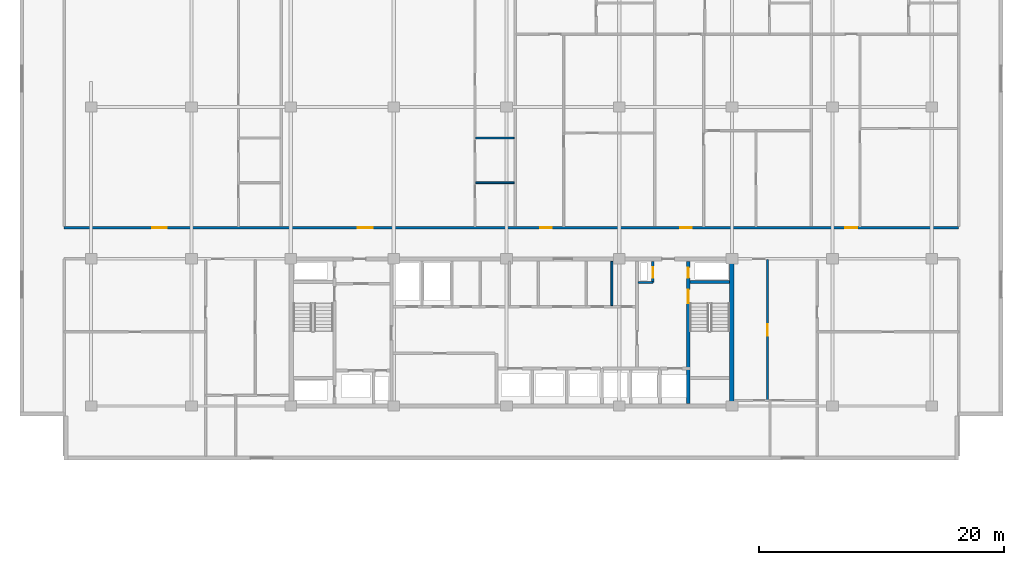
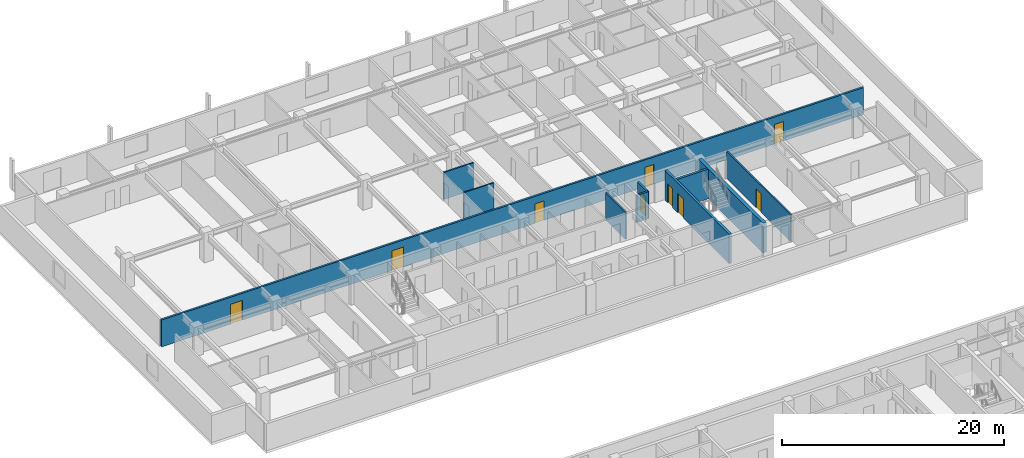
# One storey, part 13 of 22: 10 walls, 9 doors, 9 openings.
"""IFC4 building model written with IfcOpenShell, lengths in metres."""

from ifc_helpers import new_model, si_unit, direction, frame, frame_2d, origin, place, context, subcontext, project, spatial, rectangle, extrude, material, layer, layer_set, type_object, element, fill, save


model = new_model("IFC4")

# Units and contexts
model_context = context("Model", 3, precision=1e-05, world=origin(), true_north=direction((0.0, 1.0)))
body_context = subcontext(model_context, "Body", "Model", "MODEL_VIEW")
ifc_project = project(units=[si_unit("LENGTHUNIT", "METRE"), si_unit("AREAUNIT", "SQUARE_METRE"), si_unit("VOLUMEUNIT", "CUBIC_METRE"), si_unit("PLANEANGLEUNIT", "RADIAN"), si_unit("MASSUNIT", "GRAM", prefix="KILO")], contexts=[model_context])

# Site, building, storey
site_placement = place(None, origin())
site = spatial("IfcSite", under=ifc_project, at=site_placement, CompositionType="ELEMENT")
building_placement = place(site_placement, origin())
building = spatial("IfcBuilding", under=site, at=building_placement, Name="Korimba Cascade Residences", CompositionType="ELEMENT")
storey_placement = place(building_placement, frame((0.0, 0.0, 110.050048828125)))
storey = spatial("IfcBuildingStorey", under=building, at=storey_placement, Name="L31", CompositionType="ELEMENT", Elevation=110.050048828125)

# Wall
ifc_material_1 = material(Name="Concrete C65/80", Category="concrete")
ifc_layer_1 = layer(ifc_material_1, 0.35009765625)
ifc_layer_set_1 = layer_set([ifc_layer_1], Name="Concrete C65/80")
wall_type_1 = type_object("IfcWallType", Name="WAL-CORE-350", PredefinedType="SHEAR", material=ifc_layer_set_1)
wall_1_placement = place(storey_placement, frame((112.074951171875, 55.375, 0.0), z_axis=(0.0, 0.0, 1.0), x_axis=(0.0, 1.0, 0.0)))
element("IfcWall", 1, at=wall_1_placement, inside=storey, type_object=wall_type_1, Name="L31 Core Shear Wall CW-L31-T1-E", PredefinedType="SHEAR", context=body_context, shape_type="SweptSolid", body=[
    extrude(rectangle(XDim=11.64990234375, YDim=0.35009765625, at=frame_2d((5.824951171875, 0.0))), origin(), (0.0, 0.0, 1.0), 3.25),
])

# Wall, openings, doors
ifc_material_2 = material(Name="Precast concrete C40/50", Category="concrete")
ifc_layer_2 = layer(ifc_material_2, 0.199951171875)
ifc_layer_set_2 = layer_set([ifc_layer_2], Name="Precast concrete C40/50")
wall_type_2 = type_object("IfcWallType", Name="WAL-IT-200", PredefinedType="PARTITIONING", material=ifc_layer_set_2)
wall_2_placement = place(storey_placement, frame((57.60009765625, 69.75, 0.0), z_axis=(0.0, 0.0, 1.0), x_axis=(1.0, 0.0, 0.0)))
wall_2 = element("IfcWall", 2, at=wall_2_placement, inside=storey, type_object=wall_type_2, Name="L31 Partition Wall WAL-L31-T1-CORN", PredefinedType="PARTITIONING", context=body_context, shape_type="SweptSolid", body=[
    extrude(rectangle(XDim=73.0, YDim=0.199951171875, at=frame_2d((36.5, 0.0))), origin(), (0.0, 0.0, 1.0), 2.969970703125),
])
opening_1_placement = place(wall_2_placement, frame((7.17236328125, 0.0, 0.0)))
opening_1 = element("IfcOpeningElement", 3, at=opening_1_placement, cuts=wall_2, Name="Opening D-AM1", PredefinedType="OPENING", context=body_context, shape_type="SweptSolid", body=[
    extrude(rectangle(XDim=1.219970703125, YDim=2.179931640625, at=frame_2d((0.60986328125, 1.08984375))), frame((0.0, 0.10986328125, 0.0), z_axis=(0.0, -1.0, 0.0), x_axis=(1.0, 0.0, 0.0)), (0.0, 0.0, 1.0), 0.219970703125),
])
opening_2_placement = place(wall_2_placement, frame((23.96044921875, 0.0, 0.0)))
opening_2 = element("IfcOpeningElement", 4, at=opening_2_placement, cuts=wall_2, Name="Opening D-AM1", PredefinedType="OPENING", context=body_context, shape_type="SweptSolid", body=[
    extrude(rectangle(XDim=1.219970703125, YDim=2.179931640625, at=frame_2d((0.60986328125, 1.08984375))), frame((0.0, 0.10986328125, 0.0), z_axis=(0.0, -1.0, 0.0), x_axis=(1.0, 0.0, 0.0)), (0.0, 0.0, 1.0), 0.219970703125),
])
opening_3_placement = place(wall_2_placement, frame((38.845703125, 0.0, 0.0)))
opening_3 = element("IfcOpeningElement", 5, at=opening_3_placement, cuts=wall_2, Name="Opening D-UN1", PredefinedType="OPENING", context=body_context, shape_type="SweptSolid", body=[
    extrude(rectangle(XDim=0.949951171875, YDim=2.14990234375, at=frame_2d((0.47509765625, 1.074951171875))), frame((0.0, 0.10986328125, 0.0), z_axis=(0.0, -1.0, 0.0), x_axis=(1.0, 0.0, 0.0)), (0.0, 0.0, 1.0), 0.219970703125),
])
opening_4_placement = place(wall_2_placement, frame((50.26171875, 0.0, 0.0)))
opening_4 = element("IfcOpeningElement", 6, at=opening_4_placement, cuts=wall_2, Name="Opening D-UN1", PredefinedType="OPENING", context=body_context, shape_type="SweptSolid", body=[
    extrude(rectangle(XDim=0.949951171875, YDim=2.14990234375, at=frame_2d((0.47509765625, 1.074951171875))), frame((0.0, 0.10986328125, 0.0), z_axis=(0.0, -1.0, 0.0), x_axis=(1.0, 0.0, 0.0)), (0.0, 0.0, 1.0), 0.219970703125),
])
opening_5_placement = place(wall_2_placement, frame((63.75390625, 0.0, 0.0)))
opening_5 = element("IfcOpeningElement", 7, at=opening_5_placement, cuts=wall_2, Name="Opening D-UN1", PredefinedType="OPENING", context=body_context, shape_type="SweptSolid", body=[
    extrude(rectangle(XDim=0.949951171875, YDim=2.14990234375, at=frame_2d((0.47509765625, 1.074951171875))), frame((0.0, 0.10986328125, 0.0), z_axis=(0.0, -1.0, 0.0), x_axis=(1.0, 0.0, 0.0)), (0.0, 0.0, 1.0), 0.219970703125),
])
ifc_material_3 = material(Name="Fire-Rated Glazed Timber Suite Door", Category="wood")
door_type_1 = type_object("IfcDoorType", Name="DR-FD60-1200", OperationType="NOTDEFINED", PredefinedType="DOOR", material=ifc_material_3)
door_1_placement = place(opening_1_placement, origin())
door_1 = element("IfcDoor", 8, at=door_1_placement, inside=storey, type_object=door_type_1, Name="L31-T1-U01 Executive Co-Working Office Door", OperationType="SINGLE_SWING_LEFT", OverallHeight=2.179931640625, OverallWidth=1.219970703125, PredefinedType="DOOR", context=body_context, shape_type="SweptSolid", body=[
    extrude(rectangle(XDim=1.219970703125, YDim=2.179931640625, at=frame_2d((0.60986328125, 1.08984375))), frame((0.0, 0.02490234375, 0.0), z_axis=(0.0, -1.0, 0.0), x_axis=(1.0, 0.0, 0.0)), (0.0, 0.0, 1.0), 0.050048828125),
])
fill(opening_1, door_1)
door_2_placement = place(opening_2_placement, origin())
door_2 = element("IfcDoor", 9, at=door_2_placement, inside=storey, type_object=door_type_1, Name="L31-T1-U02 Executive Co-Working Office Door", OperationType="SINGLE_SWING_RIGHT", OverallHeight=2.179931640625, OverallWidth=1.219970703125, PredefinedType="DOOR", context=body_context, shape_type="SweptSolid", body=[
    extrude(rectangle(XDim=1.219970703125, YDim=2.179931640625, at=frame_2d((0.60986328125, 1.08984375))), frame((0.0, 0.02490234375, 0.0), z_axis=(0.0, -1.0, 0.0), x_axis=(1.0, 0.0, 0.0)), (0.0, 0.0, 1.0), 0.050048828125),
])
fill(opening_2, door_2)
ifc_material_4 = material(Name="Fire-Rated Hardwood Apartment Entrance Door", Category="wood")
door_type_2 = type_object("IfcDoorType", Name="DR-FD60-950", OperationType="NOTDEFINED", PredefinedType="DOOR", material=ifc_material_4)
door_3_placement = place(opening_3_placement, origin())
door_3 = element("IfcDoor", 10, at=door_3_placement, inside=storey, type_object=door_type_2, Name="Unit L31-T1-U03 Entrance Door", OperationType="SINGLE_SWING_LEFT", OverallHeight=2.14990234375, OverallWidth=0.949951171875, PredefinedType="DOOR", context=body_context, shape_type="SweptSolid", body=[
    extrude(rectangle(XDim=0.949951171875, YDim=2.14990234375, at=frame_2d((0.47509765625, 1.074951171875))), frame((0.0, 0.02490234375, 0.0), z_axis=(0.0, -1.0, 0.0), x_axis=(1.0, 0.0, 0.0)), (0.0, 0.0, 1.0), 0.050048828125),
])
fill(opening_3, door_3)
door_4_placement = place(opening_4_placement, origin())
door_4 = element("IfcDoor", 11, at=door_4_placement, inside=storey, type_object=door_type_2, Name="Unit L31-T1-U04 Entrance Door", OperationType="SINGLE_SWING_RIGHT", OverallHeight=2.14990234375, OverallWidth=0.949951171875, PredefinedType="DOOR", context=body_context, shape_type="SweptSolid", body=[
    extrude(rectangle(XDim=0.949951171875, YDim=2.14990234375, at=frame_2d((0.47509765625, 1.074951171875))), frame((0.0, 0.02490234375, 0.0), z_axis=(0.0, -1.0, 0.0), x_axis=(1.0, 0.0, 0.0)), (0.0, 0.0, 1.0), 0.050048828125),
])
fill(opening_4, door_4)
door_5_placement = place(opening_5_placement, origin())
door_5 = element("IfcDoor", 12, at=door_5_placement, inside=storey, type_object=door_type_2, Name="Unit L31-T1-U05 Entrance Door", OperationType="SINGLE_SWING_LEFT", OverallHeight=2.14990234375, OverallWidth=0.949951171875, PredefinedType="DOOR", context=body_context, shape_type="SweptSolid", body=[
    extrude(rectangle(XDim=0.949951171875, YDim=2.14990234375, at=frame_2d((0.47509765625, 1.074951171875))), frame((0.0, 0.02490234375, 0.0), z_axis=(0.0, -1.0, 0.0), x_axis=(1.0, 0.0, 0.0)), (0.0, 0.0, 1.0), 0.050048828125),
])
fill(opening_5, door_5)

# Wall
ifc_material_5 = material(Name="Insulated Acoustic Stud Partition", Category="gypsum")
ifc_layer_3 = layer(ifc_material_5, 0.14990234375)
ifc_layer_set_3 = layer_set([ifc_layer_3], Name="Insulated Acoustic Stud Partition")
wall_type_3 = type_object("IfcWallType", Name="WAL-PART-150", PredefinedType="PARTITIONING", material=ifc_layer_set_3)
wall_3_placement = place(storey_placement, frame((102.300048828125, 63.39990234375, 0.0), z_axis=(0.0, 0.0, 1.0), x_axis=(0.0, 1.0, 0.0)))
element("IfcWall", 13, at=wall_3_placement, inside=storey, type_object=wall_type_3, Name="L31 Partition Wall CW-L31-T1-CA1E1", PredefinedType="PARTITIONING", context=body_context, shape_type="SweptSolid", body=[
    extrude(rectangle(XDim=3.60009765625, YDim=0.14990234375, at=frame_2d((1.800048828125, 0.0))), origin(), (0.0, 0.0, 1.0), 2.969970703125),
])

# Wall, opening, door
wall_4_placement = place(storey_placement, frame((115.0, 55.64990234375, 0.0), z_axis=(0.0, 0.0, 1.0), x_axis=(0.0, 1.0, 0.0)))
wall_4 = element("IfcWall", 14, at=wall_4_placement, inside=storey, type_object=wall_type_3, Name="L31 Partition Wall WAL-L31-T1-FE-VN", PredefinedType="PARTITIONING", context=body_context, shape_type="SweptSolid", body=[
    extrude(rectangle(XDim=11.5, YDim=0.14990234375, at=frame_2d((5.75, 0.0))), origin(), (0.0, 0.0, 1.0), 2.969970703125),
])
opening_6_placement = place(wall_4_placement, frame((5.2900390625, 0.0, 0.0)))
opening_6 = element("IfcOpeningElement", 15, at=opening_6_placement, cuts=wall_4, Name="Opening D-IN1", PredefinedType="OPENING", context=body_context, shape_type="SweptSolid", body=[
    extrude(rectangle(XDim=0.919921875, YDim=2.080078125, at=frame_2d((0.4599609375, 1.0400390625))), frame((0.0, 0.0849609375, 0.0), z_axis=(0.0, -1.0, 0.0), x_axis=(1.0, 0.0, 0.0)), (0.0, 0.0, 1.0), 0.169921875),
])
ifc_material_6 = material(Name="Acoustic Timber Living Door", Category="wood")
door_type_3 = type_object("IfcDoorType", Name="DR-INT-920", OperationType="NOTDEFINED", PredefinedType="DOOR", material=ifc_material_6)
door_6_placement = place(opening_6_placement, origin())
door_6 = element("IfcDoor", 16, at=door_6_placement, inside=storey, type_object=door_type_3, Name="L31-T1-FE Living Door", OperationType="SINGLE_SWING_RIGHT", OverallHeight=2.080078125, OverallWidth=0.919921875, PredefinedType="DOOR", context=body_context, shape_type="SweptSolid", body=[
    extrude(rectangle(XDim=0.919921875, YDim=2.080078125, at=frame_2d((0.4599609375, 1.0400390625))), frame((0.0, 0.02490234375, 0.0), z_axis=(0.0, -1.0, 0.0), x_axis=(1.0, 0.0, 0.0)), (0.0, 0.0, 1.0), 0.050048828125),
])
fill(opening_6, door_6)

# Walls
for number, where, z_axis, x_axis, name in (
    (17, (91.190673828125, 73.419921875, 0.0), (0.0, 0.0, 1.0), (1.0, 0.0, 0.0), "L31 Partition Wall WAL-L31-T1-U02-WCH"),
    (18, (91.190673828125, 77.070068359375, 0.0), (0.0, 0.0, 1.0), (1.0, 0.0, 0.0), "L31 Partition Wall WAL-L31-T1-U02-WCH2"),
):
    element("IfcWall", number, at=place(storey_placement, frame(where, z_axis=z_axis, x_axis=x_axis)), inside=storey, type_object=wall_type_3, Name=name, PredefinedType="PARTITIONING", context=body_context, shape_type="SweptSolid", body=[
        extrude(rectangle(XDim=3.1298828125, YDim=0.14990234375, at=frame_2d((1.56494140625, 0.0))), origin(), (0.0, 0.0, 1.0), 2.969970703125),
    ])
ifc_material_7 = material(Name="Concrete C40/50", Category="concrete")
ifc_layer_4 = layer(ifc_material_7, 0.199951171875)
ifc_layer_set_4 = layer_set([ifc_layer_4], Name="Concrete C40/50")
wall_type_4 = type_object("IfcWallType", Name="WAL-PART-200", PredefinedType="PARTITIONING", material=ifc_layer_set_4)
wall_5_placement = place(storey_placement, frame((104.449951171875, 65.280029296875, 0.0), z_axis=(0.0, 0.0, 1.0), x_axis=(1.0, 0.0, 0.0)))
element("IfcWall", 19, at=wall_5_placement, inside=storey, type_object=wall_type_4, Name="L31 Partition Wall CW-L31-T1-HYDW2S", PredefinedType="PARTITIONING", context=body_context, shape_type="SweptSolid", body=[
    extrude(rectangle(XDim=1.199951171875, YDim=0.199951171875, at=frame_2d((0.60009765625, 0.0))), origin(), (0.0, 0.0, 1.0), 2.969970703125),
])

# Wall, opening, door
wall_6_placement = place(storey_placement, frame((105.64990234375, 65.280029296875, 0.0), z_axis=(0.0, 0.0, 1.0), x_axis=(0.0, 1.0, 0.0)))
wall_6 = element("IfcWall", 20, at=wall_6_placement, inside=storey, type_object=wall_type_4, Name="L31 Partition Wall CW-L31-T1-HYDW2E", PredefinedType="PARTITIONING", context=body_context, shape_type="SweptSolid", body=[
    extrude(rectangle(XDim=1.719970703125, YDim=0.199951171875, at=frame_2d((0.85986328125, 0.0))), origin(), (0.0, 0.0, 1.0), 2.969970703125),
])
opening_7_placement = place(wall_6_placement, frame((0.39990234375, 0.0, 0.0)))
opening_7 = element("IfcOpeningElement", 21, at=opening_7_placement, cuts=wall_6, Name="Opening D-RS1", PredefinedType="OPENING", context=body_context, shape_type="SweptSolid", body=[
    extrude(rectangle(XDim=0.85009765625, YDim=2.050048828125, at=frame_2d((0.425048828125, 1.02490234375))), frame((0.0, 0.10986328125, 0.0), z_axis=(0.0, -1.0, 0.0), x_axis=(1.0, 0.0, 0.0)), (0.0, 0.0, 1.0), 0.219970703125),
])
ifc_material_8 = material(Name="Fire-Rated Steel Riser Access Door", Category="steel")
door_type_4 = type_object("IfcDoorType", Name="DR-FD60-850", OperationType="NOTDEFINED", PredefinedType="DOOR", material=ifc_material_8)
door_7_placement = place(opening_7_placement, origin())
door_7 = element("IfcDoor", 22, at=door_7_placement, inside=storey, type_object=door_type_4, Name="L31 East Hydrant Door", OperationType="SINGLE_SWING_RIGHT", OverallHeight=2.050048828125, OverallWidth=0.85009765625, PredefinedType="DOOR", context=body_context, shape_type="SweptSolid", body=[
    extrude(rectangle(XDim=0.85009765625, YDim=2.050048828125, at=frame_2d((0.425048828125, 1.02490234375))), frame((0.0, 0.02490234375, 0.0), z_axis=(0.0, -1.0, 0.0), x_axis=(1.0, 0.0, 0.0)), (0.0, 0.0, 1.0), 0.050048828125),
])
fill(opening_7, door_7)

# Wall, openings, doors
ifc_material_9 = material(Name="Concrete C50/60", Category="concrete")
ifc_layer_5 = layer(ifc_material_9, 0.25)
ifc_layer_set_5 = layer_set([ifc_layer_5], Name="Concrete C50/60")
wall_type_5 = type_object("IfcWallType", Name="WAL-SHAFT-250", PredefinedType="SHEAR", material=ifc_layer_set_5)
wall_7_placement = place(storey_placement, frame((108.534912109375, 55.39990234375, 0.0), z_axis=(0.0, 0.0, 1.0), x_axis=(0.0, 1.0, 0.0)))
wall_7 = element("IfcWall", 23, at=wall_7_placement, inside=storey, type_object=wall_type_5, Name="L31 Core Shear Wall CW-L31-T1-STW2W", PredefinedType="SHEAR", context=body_context, shape_type="SweptSolid", body=[
    extrude(rectangle(XDim=11.60009765625, YDim=0.25, at=frame_2d((5.800048828125, 0.0))), origin(), (0.0, 0.0, 1.0), 3.25),
])
opening_8_placement = place(wall_7_placement, frame((8.199951171875, 0.0, 0.0)))
opening_8 = element("IfcOpeningElement", 24, at=opening_8_placement, cuts=wall_7, Name="Opening D-FD1", PredefinedType="OPENING", context=body_context, shape_type="SweptSolid", body=[
    extrude(rectangle(XDim=1.10009765625, YDim=2.10009765625, at=frame_2d((0.550048828125, 1.050048828125))), frame((0.0, 0.135009765625, 0.0), z_axis=(0.0, -1.0, 0.0), x_axis=(1.0, 0.0, 0.0)), (0.0, 0.0, 1.0), 0.27001953125),
])
opening_9_placement = place(wall_7_placement, frame((10.25, 0.0, 0.0)))
opening_9 = element("IfcOpeningElement", 25, at=opening_9_placement, cuts=wall_7, Name="Opening D-RS1", PredefinedType="OPENING", context=body_context, shape_type="SweptSolid", body=[
    extrude(rectangle(XDim=0.85009765625, YDim=2.050048828125, at=frame_2d((0.425048828125, 1.02490234375))), frame((0.0, 0.135009765625, 0.0), z_axis=(0.0, -1.0, 0.0), x_axis=(1.0, 0.0, 0.0)), (0.0, 0.0, 1.0), 0.27001953125),
])
ifc_material_10 = material(Name="Fire-Rated Steel Core Door", Category="steel")
door_type_5 = type_object("IfcDoorType", Name="DR-FD120-1100", OperationType="NOTDEFINED", PredefinedType="DOOR", material=ifc_material_10)
door_8_placement = place(opening_8_placement, origin())
door_8 = element("IfcDoor", 26, at=door_8_placement, inside=storey, type_object=door_type_5, Name="L31 Fire Stair ST-W2 Door", OperationType="SINGLE_SWING_RIGHT", OverallHeight=2.10009765625, OverallWidth=1.10009765625, PredefinedType="DOOR", context=body_context, shape_type="SweptSolid", body=[
    extrude(rectangle(XDim=1.10009765625, YDim=2.10009765625, at=frame_2d((0.550048828125, 1.050048828125))), frame((0.0, 0.02490234375, 0.0), z_axis=(0.0, -1.0, 0.0), x_axis=(1.0, 0.0, 0.0)), (0.0, 0.0, 1.0), 0.050048828125),
])
fill(opening_8, door_8)
door_9_placement = place(opening_9_placement, origin())
door_9 = element("IfcDoor", 27, at=door_9_placement, inside=storey, type_object=door_type_4, Name="L31 East Riser Door", OperationType="SINGLE_SWING_LEFT", OverallHeight=2.050048828125, OverallWidth=0.85009765625, PredefinedType="DOOR", context=body_context, shape_type="SweptSolid", body=[
    extrude(rectangle(XDim=0.85009765625, YDim=2.050048828125, at=frame_2d((0.425048828125, 1.02490234375))), frame((0.0, 0.02490234375, 0.0), z_axis=(0.0, -1.0, 0.0), x_axis=(1.0, 0.0, 0.0)), (0.0, 0.0, 1.0), 0.050048828125),
])
fill(opening_9, door_9)

# Wall
wall_8_placement = place(storey_placement, frame((108.659912109375, 65.324951171875, 0.0), z_axis=(0.0, 0.0, 1.0), x_axis=(1.0, 0.0, 0.0)))
element("IfcWall", 28, at=wall_8_placement, inside=storey, type_object=wall_type_5, Name="L31 Core Shear Wall CW-L31-T1-STW2N", PredefinedType="SHEAR", context=body_context, shape_type="SweptSolid", body=[
    extrude(rectangle(XDim=3.239990234375, YDim=0.25, at=frame_2d((1.6201171875, 0.0))), origin(), (0.0, 0.0, 1.0), 3.25),
])

save(model, "model.ifc")
